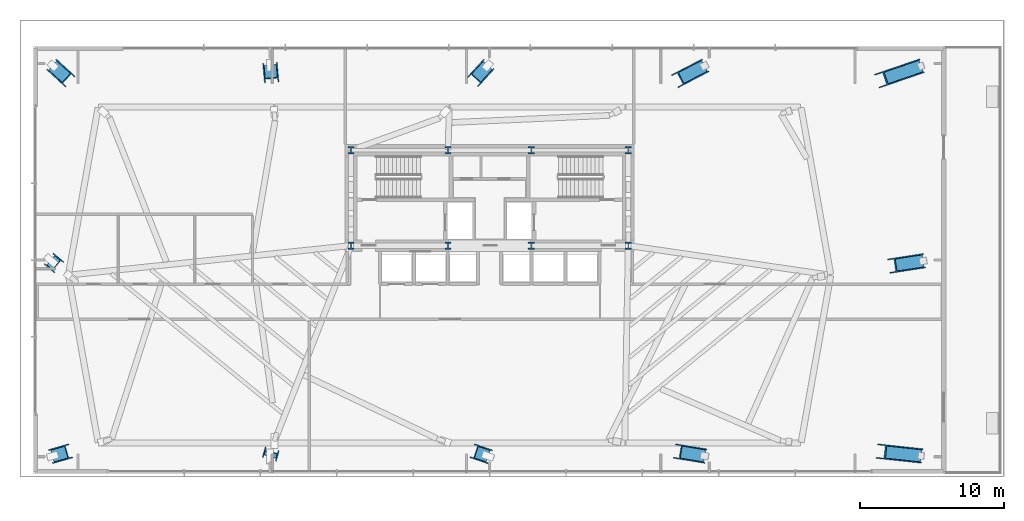
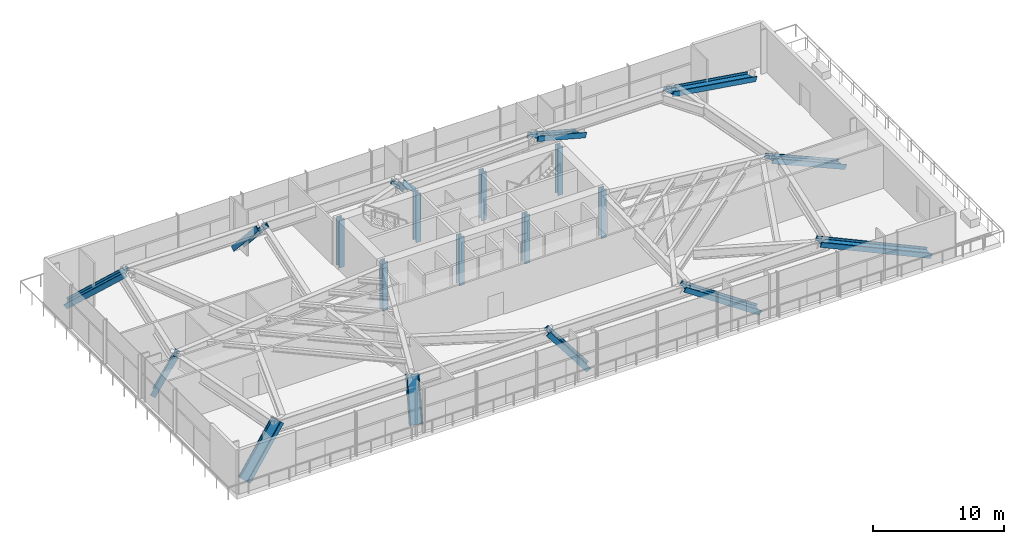
# One storey, part 1 of 29: 20 columns.
"""IFC4 building model written with IfcOpenShell, lengths in metres."""

from ifc_helpers import new_model, si_unit, direction, frame, origin, origin_2d, place, context, subcontext, project, spatial, i_section, extrude, source, transform, mapped, material, material_profile, profile_set, type_object, type_shapes, element, save


model = new_model("IFC4")

# Units and contexts
model_context = context("Model", 3, precision=1e-05, world=origin(), true_north=direction((0.0, 1.0)))
body_context = subcontext(model_context, "Body", "Model", "MODEL_VIEW")
ifc_project = project(units=[si_unit("LENGTHUNIT", "METRE"), si_unit("AREAUNIT", "SQUARE_METRE"), si_unit("VOLUMEUNIT", "CUBIC_METRE"), si_unit("PLANEANGLEUNIT", "RADIAN"), si_unit("MASSUNIT", "GRAM", prefix="KILO")], contexts=[model_context])

# Site, building, storey
site_placement = place(None, origin())
site = spatial("IfcSite", under=ifc_project, at=site_placement, CompositionType="ELEMENT")
building_placement = place(site_placement, origin())
building = spatial("IfcBuilding", under=site, at=building_placement, Name="Astriad Promenade Condominiums", CompositionType="ELEMENT")
storey_placement = place(building_placement, frame((0.0, 0.0, 18.5)))
storey = spatial("IfcBuildingStorey", under=building, at=storey_placement, Name="L04", CompositionType="ELEMENT", Elevation=18.5)

# Columns
ifc_material = material(Name="Steel ASTM A992 Grade 50", Category="steel")
ifc_material_profile_1 = material_profile(ifc_material, i_section(OverallWidth=0.43701171875, OverallDepth=0.51416015625, WebThickness=0.060546875, FlangeThickness=0.096923828125, FilletRadius=0.017822265625, at=origin_2d()), Name="W14X550")
ifc_profile_set_1 = profile_set([ifc_material_profile_1], Name="Steel ASTM A992 Grade 50")
column_type_1 = type_object("IfcColumnType", Name="STEEL CORE PILASTER W14X550", PredefinedType="PILASTER", material=ifc_profile_set_1)
shared_shape_1 = source(origin(), body_context, "Body", "SweptSolid", [
    extrude(i_section(OverallWidth=0.43701171875, OverallDepth=0.51416015625, WebThickness=0.060546875, FlangeThickness=0.096923828125, FilletRadius=0.017822265625, at=origin_2d()), origin(), (0.0, 0.0, 1.0), 4.49609375),
])
type_shapes(column_type_1, [shared_shape_1])
for number, where, z_axis, x_axis, name in (
    (1, (26.39990234375, 17.39990234375, 0.001953125), (0.0, 0.0, 1.0), (1.0, 0.0, 0.0), "Core Pilaster Column CP1 (L04)"),
    (2, (33.1201171875, 17.39990234375, 0.001953125), (0.0, 0.0, 1.0), (1.0, 0.0, 0.0), "Core Pilaster Column CP2 (L04)"),
    (3, (38.8798828125, 17.39990234375, 0.001953125), (0.0, 0.0, 1.0), (1.0, 0.0, 0.0), "Core Pilaster Column CP3 (L04)"),
    (4, (45.60009765625, 17.39990234375, 0.001953125), (0.0, 0.0, 1.0), (1.0, 0.0, 0.0), "Core Pilaster Column CP4 (L04)"),
    (5, (26.39990234375, 24.0, 0.001953125), (0.0, 0.0, 1.0), (1.0, 0.0, 0.0), "Core Pilaster Column CP5 (L04)"),
    (6, (33.1201171875, 24.0, 0.001953125), (0.0, 0.0, 1.0), (1.0, 0.0, 0.0), "Core Pilaster Column CP6 (L04)"),
    (7, (38.8798828125, 24.0, 0.001953125), (0.0, 0.0, 1.0), (1.0, 0.0, 0.0), "Core Pilaster Column CP7 (L04)"),
    (8, (45.60009765625, 24.0, 0.001953125), (0.0, 0.0, 1.0), (1.0, 0.0, 0.0), "Core Pilaster Column CP8 (L04)"),
):
    element("IfcColumn", number, at=place(storey_placement, frame(where, z_axis=z_axis, x_axis=x_axis)), inside=storey, type_object=column_type_1, Name=name, PredefinedType="PILASTER", context=body_context, shape_type="MappedRepresentation", body=[
        mapped(shared_shape_1, transform((0.0, 0.0, 0.0), scale=1.0)),
    ])
ifc_material_profile_2 = material_profile(ifc_material, i_section(OverallWidth=0.4375, OverallDepth=1.01123046875, WebThickness=0.041015625, FlangeThickness=0.073974609375, FilletRadius=0.024169921875, at=origin_2d()), Name="W36X529")
ifc_profile_set_2 = profile_set([ifc_material_profile_2], Name="Steel ASTM A992 Grade 50")
column_type_2 = type_object("IfcColumnType", Name="STEEL RAKING MEGA COLUMN W36X529", PredefinedType="COLUMN", material=ifc_profile_set_2)
shared_shape_2 = source(origin(), body_context, "Body", "SweptSolid", [
    extrude(i_section(OverallWidth=0.4375, OverallDepth=1.01123046875, WebThickness=0.041015625, FlangeThickness=0.073974609375, FilletRadius=0.024169921875, at=origin_2d()), origin(), (0.0, 0.0, 1.0), 5.236572265625),
])
column_1_placement = place(storey_placement, frame((5.734130859375, 2.824462890625, 0.16455078125), z_axis=(0.670601050519, 0.193105502729, 0.716243321685), x_axis=(-0.688275545141, -0.198195029754, 0.697850631684)))
element("IfcColumn", 9, at=column_1_placement, inside=storey, type_object=column_type_2, Name="Raking Mega-Strut Column PC01 (L04)", PredefinedType="COLUMN", context=body_context, shape_type="MappedRepresentation", body=[
    mapped(shared_shape_2, transform((0.0, 0.0, 0.0), scale=1.0)),
])
shared_shape_3 = source(origin(), body_context, "Body", "SweptSolid", [
    extrude(i_section(OverallWidth=0.4375, OverallDepth=1.01123046875, WebThickness=0.041015625, FlangeThickness=0.073974609375, FilletRadius=0.024169921875, at=origin_2d()), origin(), (0.0, 0.0, 1.0), 4.089599609375),
])
column_2_placement = place(storey_placement, frame((20.79541015625, 2.799072265625, 0.071044921875), z_axis=(0.073130571606, 0.259628453807, 0.962935608164), x_axis=(-0.261074676639, -0.926868382613, 0.269731374759)))
element("IfcColumn", 10, at=column_2_placement, inside=storey, type_object=column_type_2, Name="Raking Mega-Strut Column PC02 (L04)", PredefinedType="COLUMN", context=body_context, shape_type="MappedRepresentation", body=[
    mapped(shared_shape_3, transform((0.0, 0.0, 0.0), scale=1.0)),
])
shared_shape_4 = source(origin(), body_context, "Body", "SweptSolid", [
    extrude(i_section(OverallWidth=0.4375, OverallDepth=1.01123046875, WebThickness=0.041015625, FlangeThickness=0.073974609375, FilletRadius=0.024169921875, at=origin_2d()), origin(), (0.0, 0.0, 1.0), 4.90673828125),
])
column_3_placement = place(storey_placement, frame((35.881103515625, 2.82080078125, 0.151611328125), z_axis=(-0.603693235311, 0.207533543598, 0.76973002145), x_axis=(0.727918178879, -0.250238747557, 0.638369559173)))
element("IfcColumn", 11, at=column_3_placement, inside=storey, type_object=column_type_2, Name="Raking Mega-Strut Column PC03 (L04)", PredefinedType="COLUMN", context=body_context, shape_type="MappedRepresentation", body=[
    mapped(shared_shape_4, transform((0.0, 0.0, 0.0), scale=1.0)),
])
shared_shape_5 = source(origin(), body_context, "Body", "SweptSolid", [
    extrude(i_section(OverallWidth=0.4375, OverallDepth=1.01123046875, WebThickness=0.041015625, FlangeThickness=0.073974609375, FilletRadius=0.024169921875, at=origin_2d()), origin(), (0.0, 0.0, 1.0), 7.154296875),
])
column_4_placement = place(storey_placement, frame((50.8818359375, 2.833740234375, 0.199462890625), z_axis=(-0.846170500382, 0.138719272627, 0.514541006806), x_axis=(0.507763032383, -0.083241519868, 0.857465773262)))
element("IfcColumn", 12, at=column_4_placement, inside=storey, type_object=column_type_2, Name="Raking Mega-Strut Column PC04 (L04)", PredefinedType="COLUMN", context=body_context, shape_type="MappedRepresentation", body=[
    mapped(shared_shape_5, transform((0.0, 0.0, 0.0), scale=1.0)),
])
shared_shape_6 = source(origin(), body_context, "Body", "SweptSolid", [
    extrude(i_section(OverallWidth=0.4375, OverallDepth=1.01123046875, WebThickness=0.041015625, FlangeThickness=0.073974609375, FilletRadius=0.024169921875, at=origin_2d()), origin(), (0.0, 0.0, 1.0), 9.89208984375),
])
column_5_placement = place(storey_placement, frame((65.880859375, 2.837890625, 0.21533203125), z_axis=(-0.924122217882, 0.099485542685, 0.368918355755), x_axis=(0.366798987691, -0.039487413721, 0.92946180491)))
element("IfcColumn", 13, at=column_5_placement, inside=storey, type_object=column_type_2, Name="Raking Mega-Strut Column PC05 (L04)", PredefinedType="COLUMN", context=body_context, shape_type="MappedRepresentation", body=[
    mapped(shared_shape_6, transform((0.0, 0.0, 0.0), scale=1.0)),
])
shared_shape_7 = source(origin(), body_context, "Body", "SweptSolid", [
    extrude(i_section(OverallWidth=0.4375, OverallDepth=1.01123046875, WebThickness=0.041015625, FlangeThickness=0.073974609375, FilletRadius=0.024169921875, at=origin_2d()), origin(), (0.0, 0.0, 1.0), 6.000244140625),
])
column_6_placement = place(storey_placement, frame((5.752197265625, 29.8623046875, 0.183837890625), z_axis=(0.579239248465, -0.530738743817, 0.618706941006), x_axis=(-0.456172820082, 0.417976837956, 0.785621869064)))
element("IfcColumn", 14, at=column_6_placement, inside=storey, type_object=column_type_2, Name="Raking Mega-Strut Column PC06 (L04)", PredefinedType="COLUMN", context=body_context, shape_type="MappedRepresentation", body=[
    mapped(shared_shape_7, transform((0.0, 0.0, 0.0), scale=1.0)),
])
shared_shape_8 = source(origin(), body_context, "Body", "SweptSolid", [
    extrude(i_section(OverallWidth=0.4375, OverallDepth=1.01123046875, WebThickness=0.041015625, FlangeThickness=0.073974609375, FilletRadius=0.024169921875, at=origin_2d()), origin(), (0.0, 0.0, 1.0), 4.97607421875),
])
column_7_placement = place(storey_placement, frame((20.8017578125, 29.88720703125, 0.15478515625), z_axis=(0.057550562464, -0.650031885833, 0.757724541083), x_axis=(-0.066823744097, 0.754772195689, 0.652574532019)))
element("IfcColumn", 15, at=column_7_placement, inside=storey, type_object=column_type_2, Name="Raking Mega-Strut Column PC07 (L04)", PredefinedType="COLUMN", context=body_context, shape_type="MappedRepresentation", body=[
    mapped(shared_shape_8, transform((0.0, 0.0, 0.0), scale=1.0)),
])
shared_shape_9 = source(origin(), body_context, "Body", "SweptSolid", [
    extrude(i_section(OverallWidth=0.4375, OverallDepth=1.01123046875, WebThickness=0.041015625, FlangeThickness=0.073974609375, FilletRadius=0.024169921875, at=origin_2d()), origin(), (0.0, 0.0, 1.0), 5.710693359375),
])
column_8_placement = place(storey_placement, frame((35.860595703125, 29.867431640625, 0.177734375), z_axis=(-0.511530517035, -0.559455774837, 0.652185377131), x_axis=(0.440087770086, 0.481319562001, 0.758059518677)))
element("IfcColumn", 16, at=column_8_placement, inside=storey, type_object=column_type_2, Name="Raking Mega-Strut Column PC08 (L04)", PredefinedType="COLUMN", context=body_context, shape_type="MappedRepresentation", body=[
    mapped(shared_shape_9, transform((0.0, 0.0, 0.0), scale=1.0)),
])
shared_shape_10 = source(origin(), body_context, "Body", "SweptSolid", [
    extrude(i_section(OverallWidth=0.4375, OverallDepth=1.01123046875, WebThickness=0.041015625, FlangeThickness=0.073974609375, FilletRadius=0.024169921875, at=origin_2d()), origin(), (0.0, 0.0, 1.0), 7.735595703125),
])
column_9_placement = place(storey_placement, frame((50.87353515625, 29.844482421875, 0.20458984375), z_axis=(-0.780442308848, -0.407074769473, 0.474552351821), x_axis=(0.420755799461, 0.219464101482, 0.880227280525)))
element("IfcColumn", 17, at=column_9_placement, inside=storey, type_object=column_type_2, Name="Raking Mega-Strut Column PC09 (L04)", PredefinedType="COLUMN", context=body_context, shape_type="MappedRepresentation", body=[
    mapped(shared_shape_10, transform((0.0, 0.0, 0.0), scale=1.0)),
])
shared_shape_11 = source(origin(), body_context, "Body", "SweptSolid", [
    extrude(i_section(OverallWidth=0.4375, OverallDepth=1.01123046875, WebThickness=0.041015625, FlangeThickness=0.073974609375, FilletRadius=0.024169921875, at=origin_2d()), origin(), (0.0, 0.0, 1.0), 10.321533203125),
])
column_10_placement = place(storey_placement, frame((65.87744140625, 29.834228515625, 0.216552734375), z_axis=(-0.885043945372, -0.303096269503, 0.353312703103), x_axis=(0.334254947044, 0.114470505156, 0.935505282628)))
element("IfcColumn", 18, at=column_10_placement, inside=storey, type_object=column_type_2, Name="Raking Mega-Strut Column PC10 (L04)", PredefinedType="COLUMN", context=body_context, shape_type="MappedRepresentation", body=[
    mapped(shared_shape_11, transform((0.0, 0.0, 0.0), scale=1.0)),
])
shared_shape_12 = source(origin(), body_context, "Body", "SweptSolid", [
    extrude(i_section(OverallWidth=0.4375, OverallDepth=1.01123046875, WebThickness=0.041015625, FlangeThickness=0.073974609375, FilletRadius=0.024169921875, at=origin_2d()), origin(), (0.0, 0.0, 1.0), 4.2626953125),
])
column_11_placement = place(storey_placement, frame((5.616455078125, 16.36962890625, 0.103271484375), z_axis=(0.320676507375, -0.26723996846, 0.908707530989), x_axis=(-0.69807824253, 0.581752648624, 0.417433375672)))
element("IfcColumn", 19, at=column_11_placement, inside=storey, type_object=column_type_2, Name="Raking Mega-Strut Column PC11 (L04)", PredefinedType="COLUMN", context=body_context, shape_type="MappedRepresentation", body=[
    mapped(shared_shape_12, transform((0.0, 0.0, 0.0), scale=1.0)),
])
shared_shape_13 = source(origin(), body_context, "Body", "SweptSolid", [
    extrude(i_section(OverallWidth=0.4375, OverallDepth=1.01123046875, WebThickness=0.041015625, FlangeThickness=0.073974609375, FilletRadius=0.024169921875, at=origin_2d()), origin(), (0.0, 0.0, 1.0), 8.016357421875),
])
type_shapes(column_type_2, [shared_shape_2, shared_shape_3, shared_shape_4, shared_shape_5, shared_shape_6, shared_shape_7, shared_shape_8, shared_shape_9, shared_shape_10, shared_shape_11, shared_shape_12, shared_shape_13])
column_12_placement = place(storey_placement, frame((66.023193359375, 16.33935546875, 0.20654296875), z_axis=(-0.879002312118, -0.134551736364, 0.457439357218), x_axis=(0.452172509384, 0.069215513355, 0.889240819164)))
element("IfcColumn", 20, at=column_12_placement, inside=storey, type_object=column_type_2, Name="Raking Mega-Strut Column PC12 (L04)", PredefinedType="COLUMN", context=body_context, shape_type="MappedRepresentation", body=[
    mapped(shared_shape_13, transform((0.0, 0.0, 0.0), scale=1.0)),
])

save(model, "model.ifc")
